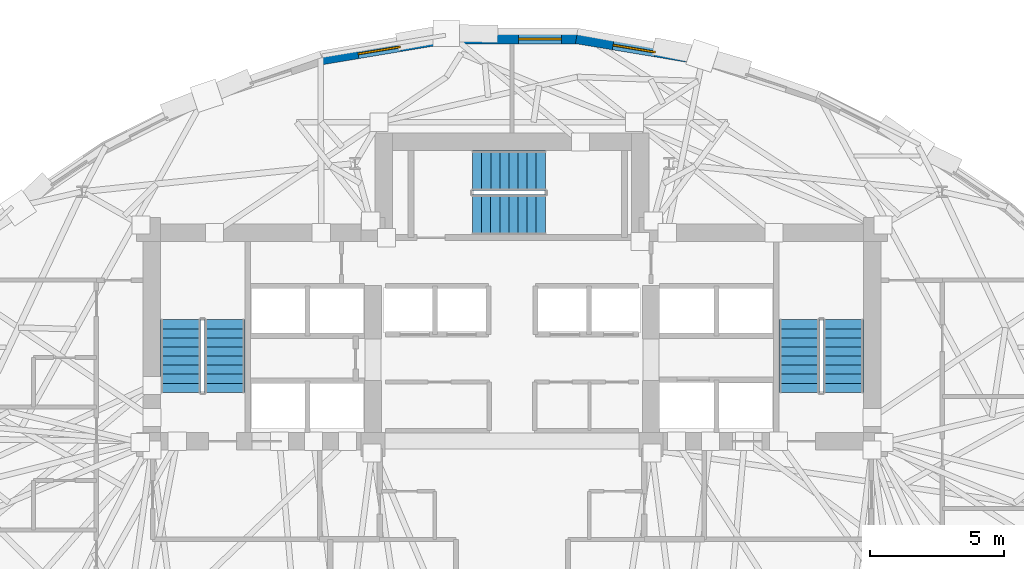
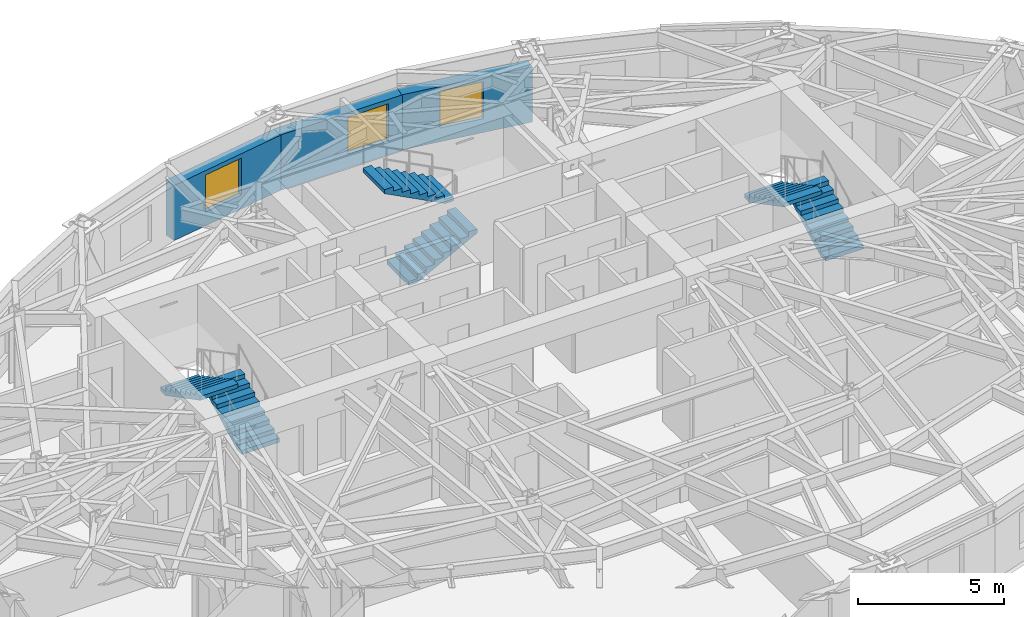
# One storey, part 10 of 14: 6 stair flights, 3 walls, 3 windows, 3 openings, 3 elements without a shape of their own.
"""IFC4 building model written with IfcOpenShell, lengths in metres."""

from ifc_helpers import new_model, si_unit, direction, frame, frame_2d, origin, place, context, subcontext, project, spatial, polyline, rectangle, outline, extrude, material, layer, layer_set, type_object, element, fill, aggregate, save


model = new_model("IFC4")

# Units and contexts
model_context = context("Model", 3, precision=1e-05, world=origin(), true_north=direction((0.0, 1.0)))
body_context = subcontext(model_context, "Body", "Model", "MODEL_VIEW")
ifc_project = project(units=[si_unit("LENGTHUNIT", "METRE"), si_unit("AREAUNIT", "SQUARE_METRE"), si_unit("VOLUMEUNIT", "CUBIC_METRE"), si_unit("PLANEANGLEUNIT", "RADIAN"), si_unit("MASSUNIT", "GRAM", prefix="KILO")], contexts=[model_context])

# Site, building, storey
site_placement = place(None, origin())
site = spatial("IfcSite", under=ifc_project, at=site_placement, CompositionType="ELEMENT")
building_placement = place(site_placement, origin())
building = spatial("IfcBuilding", under=site, at=building_placement, Name="Keldmark Tower", CompositionType="ELEMENT")
storey_placement = place(building_placement, frame((0.0, 0.0, 172.60009765625)))
storey = spatial("IfcBuildingStorey", under=building, at=storey_placement, Name="L47", CompositionType="ELEMENT", Elevation=172.60009765625)

# Wall, opening, window
ifc_material_1 = material(Name="Ironspot Manganese Brick and Kasota Buff Limestone Spandrel Assembly", Category="masonry")
ifc_layer = layer(ifc_material_1, 0.43994140625)
ifc_layer_set = layer_set([ifc_layer], Name="Ironspot Manganese Brick and Kasota Buff Limestone Spandrel Assembly")
wall_type = type_object("IfcWallType", Name="Tower Brick Pier and Spandrel Wall 440 mm", PredefinedType="STANDARD", material=ifc_layer_set)
wall_1_placement = place(storey_placement, frame((2.40966796875, 16.6171875, 0.0), z_axis=(0.0, 0.0, 1.0), x_axis=(0.98630301983, -0.164943484488, 0.0)))
wall_1 = element("IfcWall", 1, at=wall_1_placement, inside=storey, type_object=wall_type, Name="L47 Exterior Brick and Spandrel Wall 07", PredefinedType="STANDARD", context=body_context, shape_type="SweptSolid", body=[
    extrude(rectangle(XDim=4.798583984375, YDim=0.43994140625, at=frame_2d((2.3994140625, 0.0))), origin(), (0.0, 0.0, 1.0), 2.31494140625),
])
opening_1_placement = place(wall_1_placement, frame((1.3994140625, 0.0, 0.580078125)))
opening_1 = element("IfcOpeningElement", 2, at=opening_1_placement, cuts=wall_1, Name="Opening W-04", PredefinedType="OPENING", context=body_context, shape_type="SweptSolid", body=[
    extrude(rectangle(XDim=1.60009765625, YDim=1.550048828125, at=frame_2d((0.800048828125, 0.77490234375))), frame((0.0, 0.22998046875, 0.0), z_axis=(0.0, -1.0, 0.0), x_axis=(1.0, 0.0, 0.0)), (0.0, 0.0, 1.0), 0.4599609375),
])
ifc_material_2 = material(Name="Thermally Broken Anodized Aluminum and Triple Low-E Argon Glazing", Category="aluminium")
window_type = type_object("IfcWindowType", Name="Hotel Deep-Set Operable Window 1600x1550", PartitioningType="DOUBLE_PANEL_HORIZONTAL", PredefinedType="WINDOW", material=ifc_material_2)
window_1_placement = place(opening_1_placement, origin())
window_1 = element("IfcWindow", 3, at=window_1_placement, inside=storey, type_object=window_type, Name="L47 Deep-Set Window 07", OverallHeight=1.550048828125, OverallWidth=1.60009765625, PartitioningType="SINGLE_PANEL", PredefinedType="WINDOW", context=body_context, shape_type="SweptSolid", body=[
    extrude(rectangle(XDim=1.60009765625, YDim=1.550048828125, at=frame_2d((0.800048828125, 0.77490234375))), frame((0.0, -0.010009765625, 0.0), z_axis=(0.0, -1.0, 0.0), x_axis=(1.0, 0.0, 0.0)), (0.0, 0.0, 1.0), 0.06005859375),
])
fill(opening_1, window_1)

wall_2_placement = place(storey_placement, frame((-2.44580078125, 16.6142578125, 0.0), z_axis=(0.0, 0.0, 1.0), x_axis=(1.0, 0.0, 0.0)))
wall_2 = element("IfcWall", 4, at=wall_2_placement, inside=storey, type_object=wall_type, Name="L47 Exterior Brick and Spandrel Wall 08", PredefinedType="STANDARD", context=body_context, shape_type="SweptSolid", body=[
    extrude(rectangle(XDim=4.8916015625, YDim=0.43994140625, at=frame_2d((2.44580078125, 0.0))), origin(), (0.0, 0.0, 1.0), 2.31494140625),
])
opening_2_placement = place(wall_2_placement, frame((2.69287109375, 0.0, 0.580078125)))
opening_2 = element("IfcOpeningElement", 5, at=opening_2_placement, cuts=wall_2, Name="Opening W-04", PredefinedType="OPENING", context=body_context, shape_type="SweptSolid", body=[
    extrude(rectangle(XDim=1.60009765625, YDim=1.550048828125, at=frame_2d((0.800048828125, 0.77490234375))), frame((0.0, 0.22998046875, 0.0), z_axis=(0.0, -1.0, 0.0), x_axis=(1.0, 0.0, 0.0)), (0.0, 0.0, 1.0), 0.4599609375),
])
window_2_placement = place(opening_2_placement, origin())
window_2 = element("IfcWindow", 6, at=window_2_placement, inside=storey, type_object=window_type, Name="L47 Deep-Set Window 08", OverallHeight=1.550048828125, OverallWidth=1.60009765625, PartitioningType="SINGLE_PANEL", PredefinedType="WINDOW", context=body_context, shape_type="SweptSolid", body=[
    extrude(rectangle(XDim=1.60009765625, YDim=1.550048828125, at=frame_2d((0.800048828125, 0.77490234375))), frame((0.0, -0.010009765625, 0.0), z_axis=(0.0, -1.0, 0.0), x_axis=(1.0, 0.0, 0.0)), (0.0, 0.0, 1.0), 0.06005859375),
])
fill(opening_2, window_2)

wall_3_placement = place(storey_placement, frame((-7.142578125, 15.82568359375, 0.0), z_axis=(0.0, 0.0, 1.0), x_axis=(0.98630301983, 0.164943484488, 0.0)))
wall_3 = element("IfcWall", 7, at=wall_3_placement, inside=storey, type_object=wall_type, Name="L47 Exterior Brick and Spandrel Wall 09", PredefinedType="STANDARD", context=body_context, shape_type="SweptSolid", body=[
    extrude(rectangle(XDim=4.798583984375, YDim=0.43994140625, at=frame_2d((2.3994140625, 0.0))), origin(), (0.0, 0.0, 1.0), 2.31494140625),
])
opening_3_placement = place(wall_3_placement, frame((1.3994140625, 0.0, 0.580078125)))
opening_3 = element("IfcOpeningElement", 8, at=opening_3_placement, cuts=wall_3, Name="Opening W-04", PredefinedType="OPENING", context=body_context, shape_type="SweptSolid", body=[
    extrude(rectangle(XDim=1.60009765625, YDim=1.550048828125, at=frame_2d((0.800048828125, 0.77490234375))), frame((0.0, 0.22998046875, 0.0), z_axis=(0.0, -1.0, 0.0), x_axis=(1.0, 0.0, 0.0)), (0.0, 0.0, 1.0), 0.4599609375),
])
window_3_placement = place(opening_3_placement, origin())
window_3 = element("IfcWindow", 9, at=window_3_placement, inside=storey, type_object=window_type, Name="L47 Deep-Set Window 09", OverallHeight=1.550048828125, OverallWidth=1.60009765625, PartitioningType="SINGLE_PANEL", PredefinedType="WINDOW", context=body_context, shape_type="SweptSolid", body=[
    extrude(rectangle(XDim=1.60009765625, YDim=1.550048828125, at=frame_2d((0.800048828125, 0.77490234375))), frame((0.0, -0.010009765625, 0.0), z_axis=(0.0, -1.0, 0.0), x_axis=(1.0, 0.0, 0.0)), (0.0, 0.0, 1.0), 0.06005859375),
])
fill(opening_3, window_3)

# Stair, stair flights
ifc_material_3 = material(Name="Concrete C40/50", Category="concrete")
stair_type = type_object("IfcStairType", Name="Precast Concrete Core Exit Stair", PredefinedType="HALF_TURN_STAIR", material=ifc_material_3)
stair_1_placement = place(storey_placement, origin())
stair_1 = element("IfcStair", 10, at=stair_1_placement, inside=storey, type_object=stair_type, Name="L47 Exit Stair ST1", PredefinedType="HALF_TURN_STAIR")
ifc_material_4 = material(Name="Concrete C40/50", Category="concrete")
stair_flight_type = type_object("IfcStairFlightType", Name="Precast Concrete Stair Flight 1500 mm", PredefinedType="STRAIGHT", material=ifc_material_4)
stair_flight_1_placement = place(storey_placement, frame((-10.75, 3.35009765625, 0.0), z_axis=(0.0, 0.0, 1.0), x_axis=(0.0, 1.0, 0.0)))
stair_flight_1 = element("IfcStairFlight", 11, at=stair_flight_1_placement, type_object=stair_flight_type, Name="ST1 flight 1", NumberOfRisers=9, NumberOfTreads=8, PredefinedType="STRAIGHT", RiserHeight=0.177777778, TreadLength=0.34, context=body_context, shape_type="SweptSolid", body=[
    extrude(outline(polyline([(0.0, 0.0), (0.0, 0.177734375), (0.340087890625, 0.177734375), (0.340087890625, 0.35546875), (0.679931640625, 0.35546875), (0.679931640625, 0.533447265625), (1.02001953125, 0.533447265625), (1.02001953125, 0.711181640625), (1.360107421875, 0.711181640625), (1.360107421875, 0.888916015625), (1.699951171875, 0.888916015625), (1.699951171875, 1.066650390625), (2.0400390625, 1.066650390625), (2.0400390625, 1.244384765625), (2.3798828125, 1.244384765625), (2.3798828125, 1.422119140625), (2.719970703125, 1.422119140625), (2.719970703125, 1.60009765625), (2.719970703125, 1.253173828125), (0.323486328125, 0.0), (0.0, 0.0)])), frame((0.0, 0.75, 0.0), z_axis=(0.0, -1.0, 0.0), x_axis=(1.0, 0.0, 0.0)), (0.0, 0.0, 1.0), 1.5),
])
stair_flight_2_placement = place(storey_placement, frame((-12.39990234375, 6.070068359375, 1.599853515625), z_axis=(0.0, 0.0, 1.0), x_axis=(0.0, -1.0, 0.0)))
stair_flight_2 = element("IfcStairFlight", 12, at=stair_flight_2_placement, type_object=stair_flight_type, Name="ST1 flight 2", NumberOfRisers=9, NumberOfTreads=8, PredefinedType="STRAIGHT", RiserHeight=0.177777778, TreadLength=0.34, context=body_context, shape_type="SweptSolid", body=[
    extrude(outline(polyline([(0.0, 0.0), (0.0, 0.177734375), (0.340087890625, 0.177734375), (0.340087890625, 0.35546875), (0.679931640625, 0.35546875), (0.679931640625, 0.533447265625), (1.02001953125, 0.533447265625), (1.02001953125, 0.711181640625), (1.360107421875, 0.711181640625), (1.360107421875, 0.888916015625), (1.699951171875, 0.888916015625), (1.699951171875, 1.066650390625), (2.0400390625, 1.066650390625), (2.0400390625, 1.244384765625), (2.3798828125, 1.244384765625), (2.3798828125, 1.422119140625), (2.719970703125, 1.422119140625), (2.719970703125, 1.60009765625), (2.719970703125, 1.253173828125), (0.323486328125, 0.0), (0.0, 0.0)])), frame((0.0, 0.75, 0.0), z_axis=(0.0, -1.0, 0.0), x_axis=(1.0, 0.0, 0.0)), (0.0, 0.0, 1.0), 1.5),
])
aggregate(stair_1, [stair_flight_1, stair_flight_2])

stair_2_placement = place(storey_placement, origin())
stair_2 = element("IfcStair", 13, at=stair_2_placement, inside=storey, type_object=stair_type, Name="L47 Exit Stair ST2", PredefinedType="HALF_TURN_STAIR")
stair_flight_3_placement = place(storey_placement, frame((12.39990234375, 3.35009765625, 0.0), z_axis=(0.0, 0.0, 1.0), x_axis=(0.0, 1.0, 0.0)))
stair_flight_3 = element("IfcStairFlight", 14, at=stair_flight_3_placement, type_object=stair_flight_type, Name="ST2 flight 1", NumberOfRisers=9, NumberOfTreads=8, PredefinedType="STRAIGHT", RiserHeight=0.177777778, TreadLength=0.34, context=body_context, shape_type="SweptSolid", body=[
    extrude(outline(polyline([(0.0, 0.0), (0.0, 0.177734375), (0.340087890625, 0.177734375), (0.340087890625, 0.35546875), (0.679931640625, 0.35546875), (0.679931640625, 0.533447265625), (1.02001953125, 0.533447265625), (1.02001953125, 0.711181640625), (1.360107421875, 0.711181640625), (1.360107421875, 0.888916015625), (1.699951171875, 0.888916015625), (1.699951171875, 1.066650390625), (2.0400390625, 1.066650390625), (2.0400390625, 1.244384765625), (2.3798828125, 1.244384765625), (2.3798828125, 1.422119140625), (2.719970703125, 1.422119140625), (2.719970703125, 1.60009765625), (2.719970703125, 1.253173828125), (0.323486328125, 0.0), (0.0, 0.0)])), frame((0.0, 0.75, 0.0), z_axis=(0.0, -1.0, 0.0), x_axis=(1.0, 0.0, 0.0)), (0.0, 0.0, 1.0), 1.5),
])
stair_flight_4_placement = place(storey_placement, frame((10.75, 6.070068359375, 1.599853515625), z_axis=(0.0, 0.0, 1.0), x_axis=(0.0, -1.0, 0.0)))
stair_flight_4 = element("IfcStairFlight", 15, at=stair_flight_4_placement, type_object=stair_flight_type, Name="ST2 flight 2", NumberOfRisers=9, NumberOfTreads=8, PredefinedType="STRAIGHT", RiserHeight=0.177777778, TreadLength=0.34, context=body_context, shape_type="SweptSolid", body=[
    extrude(outline(polyline([(0.0, 0.0), (0.0, 0.177734375), (0.340087890625, 0.177734375), (0.340087890625, 0.35546875), (0.679931640625, 0.35546875), (0.679931640625, 0.533447265625), (1.02001953125, 0.533447265625), (1.02001953125, 0.711181640625), (1.360107421875, 0.711181640625), (1.360107421875, 0.888916015625), (1.699951171875, 0.888916015625), (1.699951171875, 1.066650390625), (2.0400390625, 1.066650390625), (2.0400390625, 1.244384765625), (2.3798828125, 1.244384765625), (2.3798828125, 1.422119140625), (2.719970703125, 1.422119140625), (2.719970703125, 1.60009765625), (2.719970703125, 1.253173828125), (0.323486328125, 0.0), (0.0, 0.0)])), frame((0.0, 0.75, 0.0), z_axis=(0.0, -1.0, 0.0), x_axis=(1.0, 0.0, 0.0)), (0.0, 0.0, 1.0), 1.5),
])
aggregate(stair_2, [stair_flight_3, stair_flight_4])

stair_3_placement = place(storey_placement, origin())
stair_3 = element("IfcStair", 16, at=stair_3_placement, inside=storey, type_object=stair_type, Name="L47 Exit Stair ST3", PredefinedType="HALF_TURN_STAIR")
stair_flight_5_placement = place(storey_placement, frame((-1.47509765625, 10.0, 0.0), z_axis=(0.0, 0.0, 1.0), x_axis=(1.0, 0.0, 0.0)))
stair_flight_5 = element("IfcStairFlight", 17, at=stair_flight_5_placement, type_object=stair_flight_type, Name="ST3 flight 1", NumberOfRisers=9, NumberOfTreads=8, PredefinedType="STRAIGHT", RiserHeight=0.177777778, TreadLength=0.34, context=body_context, shape_type="SweptSolid", body=[
    extrude(outline(polyline([(0.0, 0.0), (0.0, 0.177734375), (0.340087890625, 0.177734375), (0.340087890625, 0.35546875), (0.679931640625, 0.35546875), (0.679931640625, 0.533447265625), (1.02001953125, 0.533447265625), (1.02001953125, 0.711181640625), (1.360107421875, 0.711181640625), (1.360107421875, 0.888916015625), (1.699951171875, 0.888916015625), (1.699951171875, 1.066650390625), (2.0400390625, 1.066650390625), (2.0400390625, 1.244384765625), (2.3798828125, 1.244384765625), (2.3798828125, 1.422119140625), (2.719970703125, 1.422119140625), (2.719970703125, 1.60009765625), (2.719970703125, 1.253173828125), (0.323486328125, 0.0), (0.0, 0.0)])), frame((0.0, 0.75, 0.0), z_axis=(0.0, -1.0, 0.0), x_axis=(1.0, 0.0, 0.0)), (0.0, 0.0, 1.0), 1.5),
])
stair_flight_6_placement = place(storey_placement, frame((1.2451171875, 11.64990234375, 1.599853515625), z_axis=(0.0, 0.0, 1.0), x_axis=(-1.0, 0.0, 0.0)))
stair_flight_6 = element("IfcStairFlight", 18, at=stair_flight_6_placement, type_object=stair_flight_type, Name="ST3 flight 2", NumberOfRisers=9, NumberOfTreads=8, PredefinedType="STRAIGHT", RiserHeight=0.177777778, TreadLength=0.34, context=body_context, shape_type="SweptSolid", body=[
    extrude(outline(polyline([(0.0, 0.0), (0.0, 0.177734375), (0.340087890625, 0.177734375), (0.340087890625, 0.35546875), (0.679931640625, 0.35546875), (0.679931640625, 0.533447265625), (1.02001953125, 0.533447265625), (1.02001953125, 0.711181640625), (1.360107421875, 0.711181640625), (1.360107421875, 0.888916015625), (1.699951171875, 0.888916015625), (1.699951171875, 1.066650390625), (2.0400390625, 1.066650390625), (2.0400390625, 1.244384765625), (2.3798828125, 1.244384765625), (2.3798828125, 1.422119140625), (2.719970703125, 1.422119140625), (2.719970703125, 1.60009765625), (2.719970703125, 1.253173828125), (0.323486328125, 0.0), (0.0, 0.0)])), frame((0.0, 0.75, 0.0), z_axis=(0.0, -1.0, 0.0), x_axis=(1.0, 0.0, 0.0)), (0.0, 0.0, 1.0), 1.5),
])
aggregate(stair_3, [stair_flight_5, stair_flight_6])

save(model, "model.ifc")
